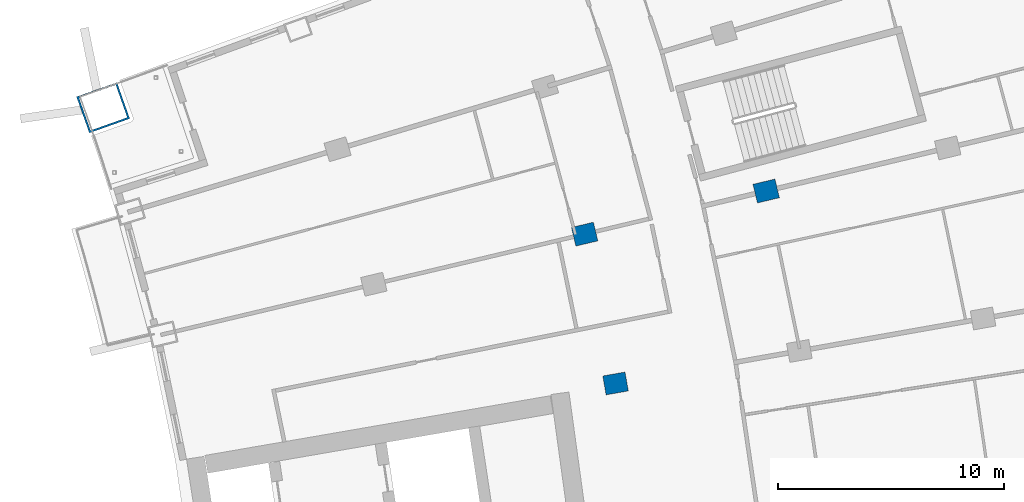
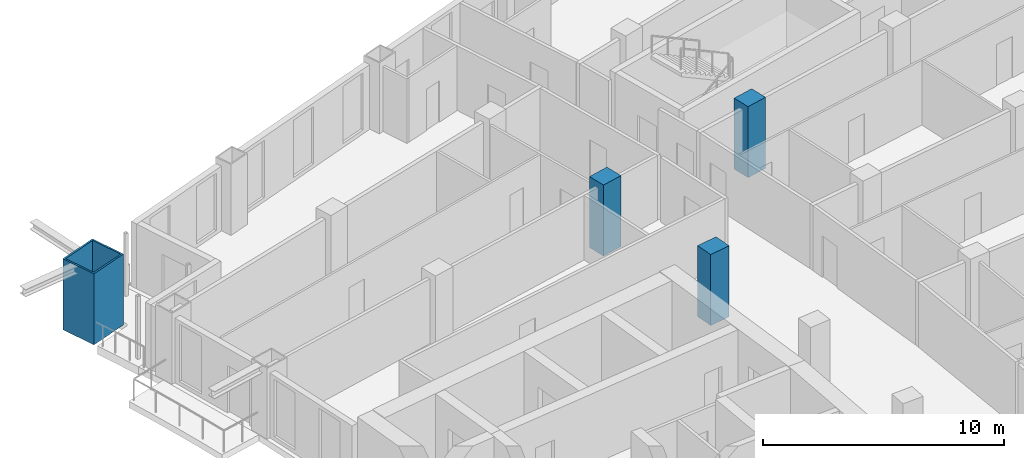
# One storey, part 8 of 25: 4 columns.
"""IFC4 building model written with IfcOpenShell, lengths in metres."""

import ifcopenshell
import ifcopenshell.guid

model = None  # the IFC model being written
_history = None  # IfcOwnerHistory: only IFC2X3 demands one
_inside = {}  # id of a spatial element -> (the spatial element, [elements in it])
_under = {}  # id of a project, library or spatial element -> (it, [spatial elements below it])
_declared = {}  # id of a project -> (the project, [libraries it declares])
_typed = {}  # id of a type object -> (the type object, [elements of that type])
_made_of = {}  # id of a material, layer set ... -> (it, [elements and type objects made of it])


def new_model(schema):
    """Start an empty IFC model of exactly this schema.

    Asked for "IFC4X3", IfcOpenShell would pick the latest addendum, in which some entities
    have other attributes; the version numbers below select the first issue.
    IFC2X3 requires an IfcOwnerHistory on every rooted entity: one is made here for all.
    """
    global model, _history
    if schema == "IFC4X3":
        model = ifcopenshell.file(schema_version=(4, 3, 0, 0))
    else:
        model = ifcopenshell.file(schema=schema)
    _inside.clear()
    _under.clear()
    _declared.clear()
    _typed.clear()
    _made_of.clear()
    _history = None
    if model.schema == "IFC2X3":
        org = make("IfcOrganization", Name="unknown")
        user = make(
            "IfcPersonAndOrganization",
            ThePerson=make("IfcPerson", FamilyName="unknown"),
            TheOrganization=org,
        )
        app = make(
            "IfcApplication",
            ApplicationDeveloper=org,
            Version="unknown",
            ApplicationFullName="unknown",
            ApplicationIdentifier="unknown",
        )
        _history = make(
            "IfcOwnerHistory",
            OwningUser=user,
            OwningApplication=app,
            ChangeAction="ADDED",
            CreationDate=0,
        )
    return model


def make(cls, **values):
    """One entity of the class cls with the attributes given. An attribute that is None is left unset."""
    return model.create_entity(
        cls, **{name: value for name, value in values.items() if value is not None}
    )


def rooted(cls, **values):
    """An entity with a GlobalId (a new one), such as an element, a storey or a relation."""
    return make(cls, GlobalId=ifcopenshell.guid.new(), OwnerHistory=_history, **values)


def si_unit(unit_type, name, prefix=None):
    """IfcSIUnit, for example si_unit("LENGTHUNIT", "METRE", prefix="MILLI")."""
    return make("IfcSIUnit", UnitType=unit_type, Prefix=prefix, Name=name)


def assignment(units):
    """IfcUnitAssignment: the units of a project."""
    return None if units is None else make("IfcUnitAssignment", Units=units)


def point(xyz):
    """IfcCartesianPoint."""
    return None if xyz is None else make("IfcCartesianPoint", Coordinates=xyz)


def direction(xyz):
    """IfcDirection."""
    return None if xyz is None else make("IfcDirection", DirectionRatios=xyz)


def frame(location, z_axis=None, x_axis=None):
    """IfcAxis2Placement3D, a coordinate frame: its origin and axes. An axis left out is left unset."""
    return make(
        "IfcAxis2Placement3D",
        Location=point(location),
        Axis=direction(z_axis),
        RefDirection=direction(x_axis),
    )


def frame_2d(location, x_axis=None):
    """IfcAxis2Placement2D, a coordinate frame in the plane: its origin and x axis."""
    return make(
        "IfcAxis2Placement2D", Location=point(location), RefDirection=direction(x_axis)
    )


def origin():
    """The frame at (0, 0, 0) with its axes left unset."""
    return frame((0.0, 0.0, 0.0))


def origin_2d():
    """The frame at (0, 0) in the plane with its x axis left unset."""
    return frame_2d((0.0, 0.0))


def place(relative_to, where):
    """IfcLocalPlacement: puts the frame where relative to a parent placement (None: the world)."""
    return make(
        "IfcLocalPlacement", PlacementRelTo=relative_to, RelativePlacement=where
    )


def context(
    kind, dimensions, precision=None, world=None, true_north=None, identifier=None
):
    """IfcGeometricRepresentationContext, for example the 3D "Model" context."""
    return make(
        "IfcGeometricRepresentationContext",
        ContextIdentifier=identifier,
        ContextType=kind,
        CoordinateSpaceDimension=dimensions,
        Precision=precision,
        WorldCoordinateSystem=world,
        TrueNorth=true_north,
    )


def subcontext(parent, identifier, kind, view, scale=None):
    """IfcGeometricRepresentationSubContext, for example "Body" below "Model"."""
    return make(
        "IfcGeometricRepresentationSubContext",
        ContextIdentifier=identifier,
        ContextType=kind,
        ParentContext=parent,
        TargetScale=scale,
        TargetView=view,
    )


def project(units=None, contexts=None):
    """IfcProject with its units and contexts."""
    return rooted(
        "IfcProject",
        Name="project",
        RepresentationContexts=contexts,
        UnitsInContext=assignment(units),
    )


def spatial(cls, under=None, at=None, **own):
    """A site, building, storey or space (cls), placed at a placement, below another one or the project."""
    s = rooted(cls, ObjectPlacement=at, **own)
    if under is not None:
        _under.setdefault(under.id(), (under, []))[1].append(s)
    return s


def profile(cls, at=None, kind="AREA", **sizes):
    """A parametric profile (cls). Its sizes go by their IFC names, for example OverallWidth=200.0."""
    return make(cls, ProfileType=kind, Position=at, **sizes)


def rectangle(**sizes):
    """IfcRectangleProfileDef."""
    return profile("IfcRectangleProfileDef", **sizes)


def hollow_rectangle(**sizes):
    """IfcRectangleHollowProfileDef."""
    return profile("IfcRectangleHollowProfileDef", **sizes)


def extrude(swept, where, along, depth):
    """IfcExtrudedAreaSolid: the profile swept, set in the frame where, extruded along a direction by depth."""
    return make(
        "IfcExtrudedAreaSolid",
        SweptArea=swept,
        Position=where,
        ExtrudedDirection=direction(along),
        Depth=depth,
    )


def shape(context_of_items, identifier, shape_type, items):
    """IfcShapeRepresentation: the items that make up one representation, for example the "Body"."""
    return make(
        "IfcShapeRepresentation",
        ContextOfItems=context_of_items,
        RepresentationIdentifier=identifier,
        RepresentationType=shape_type,
        Items=items,
    )


def material(Name=None, Category=None):
    """IfcMaterial."""
    return make("IfcMaterial", Name=Name, Category=Category)


def material_profile(
    of_material, cross_section, Name=None, Category=None, Priority=None
):
    """IfcMaterialProfile: a cross section and its material."""
    return make(
        "IfcMaterialProfile",
        Name=Name,
        Material=of_material,
        Profile=cross_section,
        Priority=Priority,
        Category=Category,
    )


def profile_set(profiles, Name=None, composite=None):
    """IfcMaterialProfileSet."""
    return make(
        "IfcMaterialProfileSet",
        Name=Name,
        MaterialProfiles=profiles,
        CompositeProfile=composite,
    )


def made_of(thing, what):
    """Note that an element or type object is made of a material, layer set ...; save() writes the relation."""
    if what is not None:
        _made_of.setdefault(what.id(), (what, []))[1].append(thing)
    return thing


def type_object(cls, material=None, **own):
    """A type object (cls), such as IfcWallType, which elements share."""
    return made_of(rooted(cls, **own), material)


def element(
    cls,
    number,
    at=None,
    inside=None,
    cuts=None,
    type_object=None,
    material=None,
    context=None,
    identifier="Body",
    shape_type=None,
    held_by="IfcProductDefinitionShape",
    body=None,
    shapes=None,
    **own,
):
    """One element of the class cls, such as IfcWall. Its Tag is "e" and its number.

    at: its placement. inside: the storey or other place that contains it. cuts: it is an
    opening in that element (IfcRelVoidsElement). A single representation is given by context,
    identifier, shape_type and body (its items); several are given by shapes. held_by: the class
    of the entity that holds the representations. save() writes the other relations.
    """
    e = rooted(cls, Tag="e%d" % number, ObjectPlacement=at, **own)
    if body is not None:
        shapes = [shape(context, identifier, shape_type, body)]
    if shapes is not None:
        e.Representation = make(held_by, Representations=shapes)
    if inside is not None:
        _inside.setdefault(inside.id(), (inside, []))[1].append(e)
    if cuts is not None:
        rooted(
            "IfcRelVoidsElement", RelatingBuildingElement=cuts, RelatedOpeningElement=e
        )
    if type_object is not None:
        _typed.setdefault(type_object.id(), (type_object, []))[1].append(e)
    return made_of(e, material)


def aggregate(whole, parts):
    """IfcRelAggregates: a whole, such as a stair, and the parts it consists of."""
    return rooted("IfcRelAggregates", RelatingObject=whole, RelatedObjects=parts)


def save(model, path):
    """Write the relations noted so far, then the file.

    IfcRelAggregates (storeys below a building ...), IfcRelContainedInSpatialStructure (elements
    in a storey), IfcRelDefinesByType, IfcRelAssociatesMaterial and IfcRelDeclares: one each for
    every whole, place, type object, material and project.
    """
    for whole, parts in _under.values():
        aggregate(whole, parts)
    for where, things in _inside.values():
        rooted(
            "IfcRelContainedInSpatialStructure",
            RelatedElements=things,
            RelatingStructure=where,
        )
    for kind, things in _typed.values():
        rooted("IfcRelDefinesByType", RelatedObjects=things, RelatingType=kind)
    for what, things in _made_of.values():
        rooted("IfcRelAssociatesMaterial", RelatedObjects=things, RelatingMaterial=what)
    for by, libraries in _declared.values():
        rooted("IfcRelDeclares", RelatingContext=by, RelatedDefinitions=libraries)
    model.write(path)


model = new_model("IFC4")

# Units and contexts
model_context = context("Model", 3, precision=1e-05, world=origin(), true_north=direction((0.0, 1.0)))
body_context = subcontext(model_context, "Body", "Model", "MODEL_VIEW")
ifc_project = project(units=[si_unit("LENGTHUNIT", "METRE"), si_unit("AREAUNIT", "SQUARE_METRE"), si_unit("VOLUMEUNIT", "CUBIC_METRE"), si_unit("PLANEANGLEUNIT", "RADIAN"), si_unit("MASSUNIT", "GRAM", prefix="KILO")], contexts=[model_context])

# Site, building, storey
site_placement = place(None, origin())
site = spatial("IfcSite", under=ifc_project, at=site_placement, CompositionType="ELEMENT")
building_placement = place(site_placement, origin())
building = spatial("IfcBuilding", under=site, at=building_placement, Name="Alderwake Tower", CompositionType="ELEMENT")
storey_placement = place(building_placement, frame((0.0, 0.0, 122.0)))
storey = spatial("IfcBuildingStorey", under=building, at=storey_placement, Name="L30", CompositionType="ELEMENT", Elevation=122.0)

# Columns
ifc_material_1 = material(Name="Concrete C70/85", Category="concrete")
ifc_material_profile_1 = material_profile(ifc_material_1, rectangle(XDim=0.85009765625, YDim=1.0, at=origin_2d()), Name="RC 1000X850")
ifc_profile_set_1 = profile_set([ifc_material_profile_1], Name="Concrete C70/85")
column_type_1 = type_object("IfcColumnType", Name="Interior column Z2", PredefinedType="COLUMN", material=ifc_profile_set_1)
for number, where, z_axis, x_axis, name in (
    (1, (34.03125, 81.16162109375, 0.0), (0.0, 0.0, 1.0), (-0.174108800747, 0.984726421654, 0.0), "Column R10-C2"),
    (2, (32.661865234375, 87.775390625, 0.0), (0.0, 0.0, 1.0), (-0.231221547198, 0.972901123502, 0.0), "Column R11-C2"),
    (3, (40.70458984375, 89.68701171875, 0.0), (0.0, 0.0, 1.0), (-0.231221547198, 0.972901123502, 0.0), "Column R11-C3"),
):
    element("IfcColumn", number, at=place(storey_placement, frame(where, z_axis=z_axis, x_axis=x_axis)), inside=storey, type_object=column_type_1, Name=name, PredefinedType="COLUMN", context=body_context, shape_type="SweptSolid", body=[
        extrude(rectangle(XDim=0.85009765625, YDim=1.0, at=origin_2d()), origin(), (0.0, 0.0, 1.0), 3.60009765625),
    ])
ifc_material_2 = material(Name="Steel ASTM A572 Grade 50 concrete filled C70/85", Category="concrete")
ifc_material_profile_2 = material_profile(ifc_material_2, hollow_rectangle(XDim=1.699951171875, YDim=1.89990234375, WallThickness=0.0849609375, at=origin_2d()), Name="BOX 1900X1700X85")
ifc_profile_set_2 = profile_set([ifc_material_profile_2], Name="Steel ASTM A572 Grade 50 concrete filled C70/85")
column_type_2 = type_object("IfcColumnType", Name="Mega column Z2", PredefinedType="COLUMN", material=ifc_profile_set_2)
column_placement = place(storey_placement, frame((11.330810546875, 93.377197265625, 0.0), z_axis=(0.0, 0.0, 1.0), x_axis=(-0.334130947791, 0.942526662609, 0.0)))
element("IfcColumn", 4, at=column_placement, inside=storey, type_object=column_type_2, Name="Column R13-C0", PredefinedType="COLUMN", context=body_context, shape_type="SweptSolid", body=[
    extrude(hollow_rectangle(XDim=1.699951171875, YDim=1.89990234375, WallThickness=0.0849609375, at=origin_2d()), origin(), (0.0, 0.0, 1.0), 3.60009765625),
])

save(model, "model.ifc")
